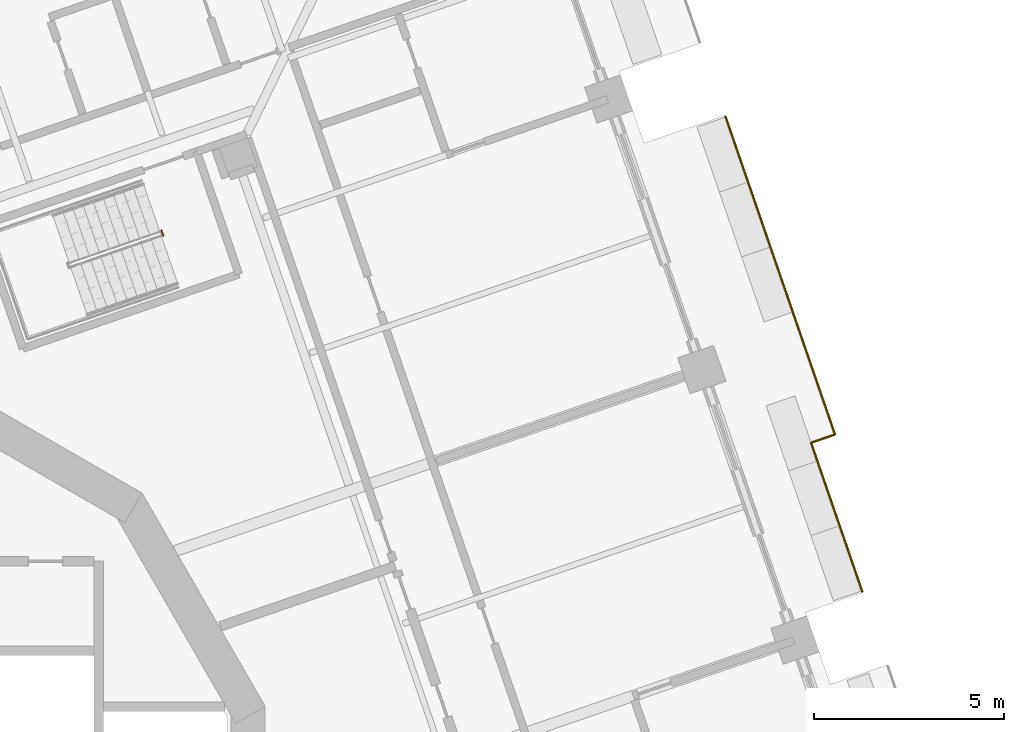
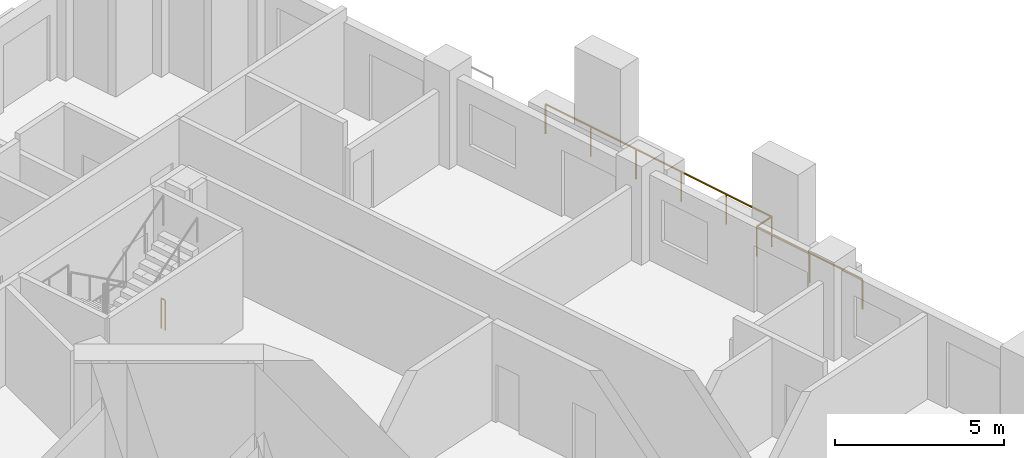
# One storey, part 20 of 22: 3 railings.
"""IFC4 building model written with IfcOpenShell, lengths in metres."""

from ifc_helpers import new_model, si_unit, direction, frame, origin, origin_2d, place, context, subcontext, project, spatial, circle, extrude, material, type_object, element, save


model = new_model("IFC4")

# Units and contexts
model_context = context("Model", 3, precision=1e-05, world=origin(), true_north=direction((0.0, 1.0)))
body_context = subcontext(model_context, "Body", "Model", "MODEL_VIEW")
ifc_project = project(units=[si_unit("LENGTHUNIT", "METRE"), si_unit("AREAUNIT", "SQUARE_METRE"), si_unit("VOLUMEUNIT", "CUBIC_METRE"), si_unit("PLANEANGLEUNIT", "RADIAN"), si_unit("MASSUNIT", "GRAM", prefix="KILO")], contexts=[model_context])

# Site, building, storey
site_placement = place(None, origin())
site = spatial("IfcSite", under=ifc_project, at=site_placement, CompositionType="ELEMENT")
building_placement = place(site_placement, origin())
building = spatial("IfcBuilding", under=site, at=building_placement, Name="Cantera Rosa Tower", CompositionType="ELEMENT")
storey_placement = place(building_placement, frame((0.0, 0.0, 107.89990234375)))
storey = spatial("IfcBuildingStorey", under=building, at=storey_placement, Name="L21", CompositionType="ELEMENT", Elevation=107.89990234375)

# Railings
ifc_material_1 = material(Name="Stainless steel and laminated glass", Category="steel")
railing_type_1 = type_object("IfcRailingType", Name="GUARD 1100", PredefinedType="BALUSTRADE", material=ifc_material_1)
railing_1_placement = place(storey_placement, frame((26.42041015625, 10.161376953125, 0.0)))
element("IfcRailing", 1, at=railing_1_placement, inside=storey, type_object=railing_type_1, Name="GUARD L21-10", PredefinedType="BALUSTRADE", context=body_context, shape_type="SweptSolid", body=[
    extrude(circle(Radius=0.030029296875, at=origin_2d()), frame((0.0, 0.0, 1.070068359375), z_axis=(0.325526781046, -0.945532820595, 0.0), x_axis=(0.945532820595, 0.325526781046, 0.0)), (0.0, 0.0, 1.0), 4.13623046875),
    extrude(circle(Radius=0.02490234375, at=origin_2d()), origin(), (0.0, 0.0, 1.0), 1.0400390625),
    extrude(circle(Radius=0.02490234375, at=origin_2d()), frame((0.67333984375, -1.95556640625, 0.0)), (0.0, 0.0, 1.0), 1.0400390625),
    extrude(circle(Radius=0.02490234375, at=origin_2d()), frame((1.346435546875, -3.910888671875, 0.0)), (0.0, 0.0, 1.0), 1.0400390625),
])
railing_2_placement = place(storey_placement, frame((24.169677734375, 18.73974609375, 0.0)))
element("IfcRailing", 2, at=railing_2_placement, inside=storey, type_object=railing_type_1, Name="GUARD L21-11", PredefinedType="BALUSTRADE", context=body_context, shape_type="SweptSolid", body=[
    extrude(circle(Radius=0.030029296875, at=origin_2d()), frame((0.0, 0.0, 1.070068359375), z_axis=(0.325578887948, -0.945514879694, 0.0), x_axis=(0.945514879694, 0.325578887948, 0.0)), (0.0, 0.0, 1.0), 8.843994140625),
    extrude(circle(Radius=0.030029296875, at=origin_2d()), frame((2.87939453125, -8.362060546875, 1.070068359375), z_axis=(-0.945591306029, -0.325356853259, 0.0), x_axis=(0.325356853259, -0.945591306029, 0.0)), (0.0, 0.0, 1.0), 0.664794921875),
    extrude(circle(Radius=0.02490234375, at=origin_2d()), origin(), (0.0, 0.0, 1.0), 1.0400390625),
    extrude(circle(Radius=0.02490234375, at=origin_2d()), frame((0.575927734375, -1.67236328125, 0.0)), (0.0, 0.0, 1.0), 1.0400390625),
    extrude(circle(Radius=0.02490234375, at=origin_2d()), frame((1.15185546875, -3.3447265625, 0.0)), (0.0, 0.0, 1.0), 1.0400390625),
    extrude(circle(Radius=0.02490234375, at=origin_2d()), frame((1.7275390625, -5.017333984375, 0.0)), (0.0, 0.0, 1.0), 1.0400390625),
    extrude(circle(Radius=0.02490234375, at=origin_2d()), frame((2.303466796875, -6.689697265625, 0.0)), (0.0, 0.0, 1.0), 1.0400390625),
    extrude(circle(Radius=0.02490234375, at=origin_2d()), frame((2.87939453125, -8.362060546875, 0.0)), (0.0, 0.0, 1.0), 1.0400390625),
    extrude(circle(Radius=0.02490234375, at=origin_2d()), frame((2.250732421875, -8.578369140625, 0.0)), (0.0, 0.0, 1.0), 1.0400390625),
])
ifc_material_2 = material(Name="Steel S355J2 (EN 10025-2)", Category="steel")
railing_type_2 = type_object("IfcRailingType", Name="STAIR GUARD 1100", PredefinedType="GUARDRAIL", material=ifc_material_2)
railing_3_placement = place(storey_placement, frame((9.3466796875, 15.742919921875, 0.0)))
element("IfcRailing", 3, at=railing_3_placement, inside=storey, type_object=railing_type_2, Name="L21 ST-21 stair guard 3", PredefinedType="GUARDRAIL", context=body_context, shape_type="SweptSolid", body=[
    extrude(circle(Radius=0.02392578125, at=origin_2d()), frame((0.0, 0.0, 1.076171875), z_axis=(0.325489086777, -0.945545797087, 0.0), x_axis=(0.945545797087, 0.325489086777, 0.0)), (0.0, 0.0, 1.0), 0.14990234375),
    extrude(circle(Radius=0.02099609375, at=origin_2d()), origin(), (0.0, 0.0, 1.0), 1.052001953125),
    extrude(circle(Radius=0.02099609375, at=origin_2d()), frame((0.048828125, -0.141845703125, 0.0)), (0.0, 0.0, 1.0), 1.052001953125),
])

save(model, "model.ifc")
